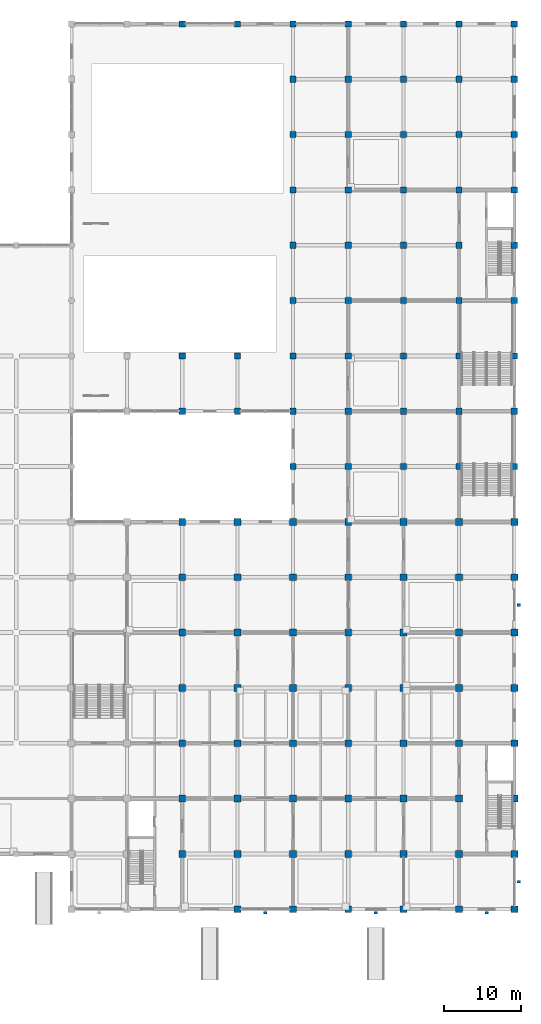
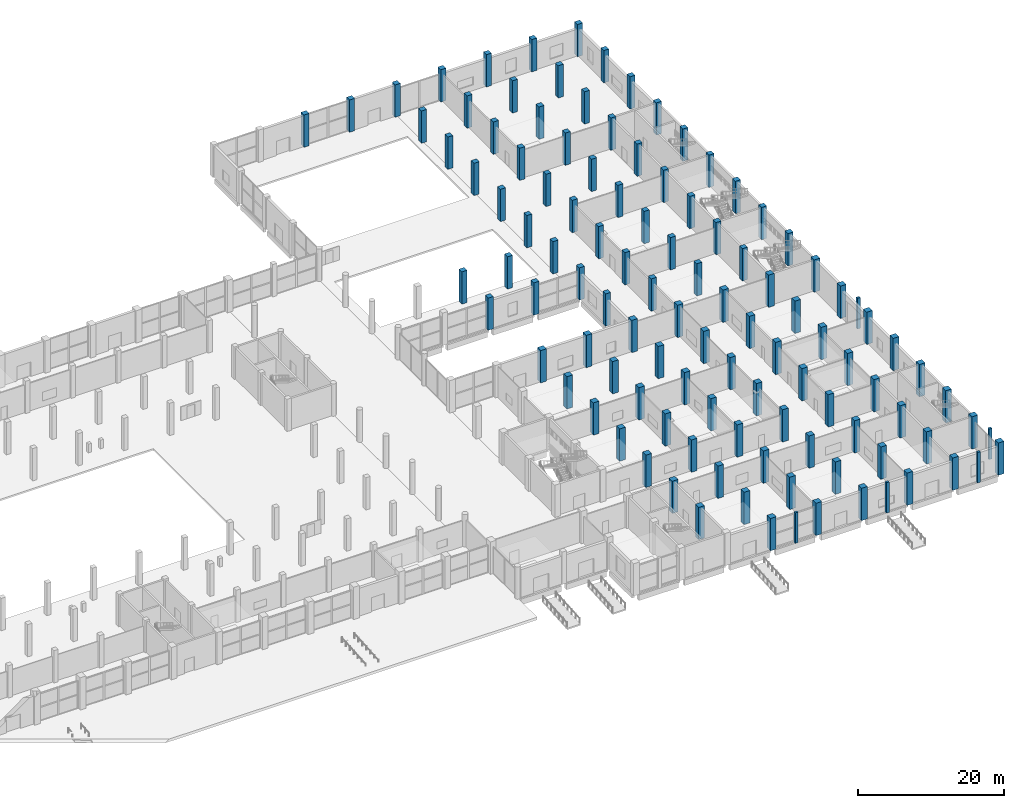
# One storey, part 3 of 70: 111 columns.
"""IFC4 building model written with IfcOpenShell, lengths in metres."""

from ifc_helpers import new_model, si_unit, direction, frame, origin, origin_2d, place, context, subcontext, project, spatial, rectangle, extrude, material, material_profile, profile_set, type_object, element, save


model = new_model("IFC4")

# Units and contexts
model_context = context("Model", 3, precision=1e-05, world=origin(), true_north=direction((0.0, 1.0)))
body_context = subcontext(model_context, "Body", "Model", "MODEL_VIEW")
ifc_project = project(units=[si_unit("LENGTHUNIT", "METRE"), si_unit("AREAUNIT", "SQUARE_METRE"), si_unit("VOLUMEUNIT", "CUBIC_METRE"), si_unit("PLANEANGLEUNIT", "RADIAN"), si_unit("MASSUNIT", "GRAM", prefix="KILO")], contexts=[model_context])

# Site, building, storey
site_placement = place(None, origin())
site = spatial("IfcSite", under=ifc_project, at=site_placement, CompositionType="ELEMENT")
building_placement = place(site_placement, origin())
building = spatial("IfcBuilding", under=site, at=building_placement, Name="Vesperath Aquatics Centre", CompositionType="ELEMENT")
storey_placement = place(building_placement, origin())
storey = spatial("IfcBuildingStorey", under=building, at=storey_placement, Name="L00", CompositionType="ELEMENT", Elevation=0.0)

# Columns
ifc_material = material(Name="Concrete C40", Category="concrete")
ifc_material_profile_1 = material_profile(ifc_material, rectangle(XDim=0.89990234375, YDim=0.89990234375, at=origin_2d()), Name="RC 900x900")
ifc_profile_set_1 = profile_set([ifc_material_profile_1], Name="Concrete C40")
column_type_1 = type_object("IfcColumnType", Name="CL-C03", PredefinedType="COLUMN", material=ifc_profile_set_1)
for number, where, z_axis, x_axis, name in (
    (1, (129.60009765625, 7.199951171875, 0.0), (0.0, 0.0, 1.0), (1.0, 0.0, 0.0), "Column C03 L00 19/B"),
    (2, (129.60009765625, 14.39990234375, 0.0), (0.0, 0.0, 1.0), (1.0, 0.0, 0.0), "Column C03 L00 19/C"),
    (3, (129.60009765625, 21.60009765625, 0.0), (0.0, 0.0, 1.0), (1.0, 0.0, 0.0), "Column C03 L00 19/D"),
    (4, (129.60009765625, 28.800048828125, 0.0), (0.0, 0.0, 1.0), (1.0, 0.0, 0.0), "Column C03 L00 19/E"),
    (5, (129.60009765625, 36.0, 0.0), (0.0, 0.0, 1.0), (1.0, 0.0, 0.0), "Column C03 L00 19/F"),
    (6, (129.60009765625, 43.199951171875, 0.0), (0.0, 0.0, 1.0), (1.0, 0.0, 0.0), "Column C03 L00 19/G"),
    (7, (129.60009765625, 50.39990234375, 0.0), (0.0, 0.0, 1.0), (1.0, 0.0, 0.0), "Column C03 L00 19/H"),
    (8, (136.800048828125, 0.0, 0.0), (0.0, 0.0, 1.0), (1.0, 0.0, 0.0), "Column C03 L00 20/A"),
    (9, (136.800048828125, 7.199951171875, 0.0), (0.0, 0.0, 1.0), (1.0, 0.0, 0.0), "Column C03 L00 20/B"),
    (10, (136.800048828125, 14.39990234375, 0.0), (0.0, 0.0, 1.0), (1.0, 0.0, 0.0), "Column C03 L00 20/C"),
    (11, (136.800048828125, 21.60009765625, 0.0), (0.0, 0.0, 1.0), (1.0, 0.0, 0.0), "Column C03 L00 20/D"),
    (12, (136.800048828125, 28.800048828125, 0.0), (0.0, 0.0, 1.0), (1.0, 0.0, 0.0), "Column C03 L00 20/E"),
    (13, (136.800048828125, 36.0, 0.0), (0.0, 0.0, 1.0), (1.0, 0.0, 0.0), "Column C03 L00 20/F"),
    (14, (136.800048828125, 43.199951171875, 0.0), (0.0, 0.0, 1.0), (1.0, 0.0, 0.0), "Column C03 L00 20/G"),
    (15, (136.800048828125, 50.39990234375, 0.0), (0.0, 0.0, 1.0), (1.0, 0.0, 0.0), "Column C03 L00 20/H"),
    (16, (144.0, 0.0, 0.0), (0.0, 0.0, 1.0), (1.0, 0.0, 0.0), "Column C03 L00 21/A"),
    (17, (144.0, 7.199951171875, 0.0), (0.0, 0.0, 1.0), (1.0, 0.0, 0.0), "Column C03 L00 21/B"),
    (18, (144.0, 14.39990234375, 0.0), (0.0, 0.0, 1.0), (1.0, 0.0, 0.0), "Column C03 L00 21/C"),
    (19, (144.0, 21.60009765625, 0.0), (0.0, 0.0, 1.0), (1.0, 0.0, 0.0), "Column C03 L00 21/D"),
    (20, (144.0, 28.800048828125, 0.0), (0.0, 0.0, 1.0), (1.0, 0.0, 0.0), "Column C03 L00 21/E"),
    (21, (144.0, 36.0, 0.0), (0.0, 0.0, 1.0), (1.0, 0.0, 0.0), "Column C03 L00 21/F"),
    (22, (144.0, 43.199951171875, 0.0), (0.0, 0.0, 1.0), (1.0, 0.0, 0.0), "Column C03 L00 21/G"),
    (23, (144.0, 50.39990234375, 0.0), (0.0, 0.0, 1.0), (1.0, 0.0, 0.0), "Column C03 L00 21/H"),
    (24, (151.199951171875, 0.0, 0.0), (0.0, 0.0, 1.0), (1.0, 0.0, 0.0), "Column C03 L00 22/A"),
    (25, (151.199951171875, 7.199951171875, 0.0), (0.0, 0.0, 1.0), (1.0, 0.0, 0.0), "Column C03 L00 22/B"),
    (26, (151.199951171875, 14.39990234375, 0.0), (0.0, 0.0, 1.0), (1.0, 0.0, 0.0), "Column C03 L00 22/C"),
    (27, (151.199951171875, 21.60009765625, 0.0), (0.0, 0.0, 1.0), (1.0, 0.0, 0.0), "Column C03 L00 22/D"),
    (28, (151.199951171875, 28.800048828125, 0.0), (0.0, 0.0, 1.0), (1.0, 0.0, 0.0), "Column C03 L00 22/E"),
    (29, (151.199951171875, 36.0, 0.0), (0.0, 0.0, 1.0), (1.0, 0.0, 0.0), "Column C03 L00 22/F"),
    (30, (151.199951171875, 43.199951171875, 0.0), (0.0, 0.0, 1.0), (1.0, 0.0, 0.0), "Column C03 L00 22/G"),
    (31, (151.199951171875, 50.39990234375, 0.0), (0.0, 0.0, 1.0), (1.0, 0.0, 0.0), "Column C03 L00 22/H"),
    (32, (158.39990234375, 0.0, 0.0), (0.0, 0.0, 1.0), (1.0, 0.0, 0.0), "Column C03 L00 23/A"),
    (33, (158.39990234375, 7.199951171875, 0.0), (0.0, 0.0, 1.0), (1.0, 0.0, 0.0), "Column C03 L00 23/B"),
    (34, (158.39990234375, 14.39990234375, 0.0), (0.0, 0.0, 1.0), (1.0, 0.0, 0.0), "Column C03 L00 23/C"),
    (35, (158.39990234375, 21.60009765625, 0.0), (0.0, 0.0, 1.0), (1.0, 0.0, 0.0), "Column C03 L00 23/D"),
    (36, (158.39990234375, 28.800048828125, 0.0), (0.0, 0.0, 1.0), (1.0, 0.0, 0.0), "Column C03 L00 23/E"),
    (37, (158.39990234375, 36.0, 0.0), (0.0, 0.0, 1.0), (1.0, 0.0, 0.0), "Column C03 L00 23/F"),
    (38, (158.39990234375, 43.199951171875, 0.0), (0.0, 0.0, 1.0), (1.0, 0.0, 0.0), "Column C03 L00 23/G"),
    (39, (158.39990234375, 50.39990234375, 0.0), (0.0, 0.0, 1.0), (1.0, 0.0, 0.0), "Column C03 L00 23/H"),
    (40, (165.60009765625, 0.0, 0.0), (0.0, 0.0, 1.0), (1.0, 0.0, 0.0), "Column C03 L00 24/A"),
    (41, (165.60009765625, 7.199951171875, 0.0), (0.0, 0.0, 1.0), (1.0, 0.0, 0.0), "Column C03 L00 24/B"),
    (42, (165.60009765625, 14.39990234375, 0.0), (0.0, 0.0, 1.0), (1.0, 0.0, 0.0), "Column C03 L00 24/C"),
    (43, (165.60009765625, 21.60009765625, 0.0), (0.0, 0.0, 1.0), (1.0, 0.0, 0.0), "Column C03 L00 24/D"),
    (44, (165.60009765625, 28.800048828125, 0.0), (0.0, 0.0, 1.0), (1.0, 0.0, 0.0), "Column C03 L00 24/E"),
    (45, (165.60009765625, 36.0, 0.0), (0.0, 0.0, 1.0), (1.0, 0.0, 0.0), "Column C03 L00 24/F"),
    (46, (165.60009765625, 43.199951171875, 0.0), (0.0, 0.0, 1.0), (1.0, 0.0, 0.0), "Column C03 L00 24/G"),
    (47, (165.60009765625, 50.39990234375, 0.0), (0.0, 0.0, 1.0), (1.0, 0.0, 0.0), "Column C03 L00 24/H"),
    (48, (172.800048828125, 0.0, 0.0), (0.0, 0.0, 1.0), (1.0, 0.0, 0.0), "Column C03 L00 25/A"),
    (49, (172.800048828125, 7.199951171875, 0.0), (0.0, 0.0, 1.0), (1.0, 0.0, 0.0), "Column C03 L00 25/B"),
    (50, (172.800048828125, 14.39990234375, 0.0), (0.0, 0.0, 1.0), (1.0, 0.0, 0.0), "Column C03 L00 25/C"),
    (51, (172.800048828125, 21.60009765625, 0.0), (0.0, 0.0, 1.0), (1.0, 0.0, 0.0), "Column C03 L00 25/D"),
    (52, (172.800048828125, 28.800048828125, 0.0), (0.0, 0.0, 1.0), (1.0, 0.0, 0.0), "Column C03 L00 25/E"),
    (53, (172.800048828125, 36.0, 0.0), (0.0, 0.0, 1.0), (1.0, 0.0, 0.0), "Column C03 L00 25/F"),
    (54, (172.800048828125, 43.199951171875, 0.0), (0.0, 0.0, 1.0), (1.0, 0.0, 0.0), "Column C03 L00 25/G"),
    (55, (172.800048828125, 50.39990234375, 0.0), (0.0, 0.0, 1.0), (1.0, 0.0, 0.0), "Column C03 L00 25/H"),
):
    element("IfcColumn", number, at=place(storey_placement, frame(where, z_axis=z_axis, x_axis=x_axis)), inside=storey, type_object=column_type_1, Name=name, PredefinedType="COLUMN", context=body_context, shape_type="SweptSolid", body=[
        extrude(rectangle(XDim=0.89990234375, YDim=0.89990234375, at=origin_2d()), origin(), (0.0, 0.0, 1.0), 5.39990234375),
    ])
ifc_material_profile_2 = material_profile(ifc_material, rectangle(XDim=0.800048828125, YDim=0.800048828125, at=origin_2d()), Name="RC 800x800")
ifc_profile_set_2 = profile_set([ifc_material_profile_2], Name="Concrete C40")
column_type_2 = type_object("IfcColumnType", Name="CL-C04", PredefinedType="COLUMN", material=ifc_profile_set_2)
for number, where, z_axis, x_axis, name in (
    (56, (129.60009765625, 64.800048828125, 0.0), (0.0, 0.0, 1.0), (1.0, 0.0, 0.0), "Column C04 L00 19/K"),
    (57, (129.60009765625, 72.0, 0.0), (0.0, 0.0, 1.0), (1.0, 0.0, 0.0), "Column C04 L00 19/L"),
    (58, (129.60009765625, 115.199951171875, 0.0), (0.0, 0.0, 1.0), (1.0, 0.0, 0.0), "Column C04 L00 19/S"),
    (59, (136.800048828125, 64.800048828125, 0.0), (0.0, 0.0, 1.0), (1.0, 0.0, 0.0), "Column C04 L00 20/K"),
    (60, (136.800048828125, 72.0, 0.0), (0.0, 0.0, 1.0), (1.0, 0.0, 0.0), "Column C04 L00 20/L"),
    (61, (136.800048828125, 115.199951171875, 0.0), (0.0, 0.0, 1.0), (1.0, 0.0, 0.0), "Column C04 L00 20/S"),
    (62, (144.0, 57.60009765625, 0.0), (0.0, 0.0, 1.0), (1.0, 0.0, 0.0), "Column C04 L00 21/J"),
    (63, (144.0, 64.800048828125, 0.0), (0.0, 0.0, 1.0), (1.0, 0.0, 0.0), "Column C04 L00 21/K"),
    (64, (144.0, 72.0, 0.0), (0.0, 0.0, 1.0), (1.0, 0.0, 0.0), "Column C04 L00 21/L"),
    (65, (144.0, 79.199951171875, 0.0), (0.0, 0.0, 1.0), (1.0, 0.0, 0.0), "Column C04 L00 21/M"),
    (66, (144.0, 86.39990234375, 0.0), (0.0, 0.0, 1.0), (1.0, 0.0, 0.0), "Column C04 L00 21/N"),
    (67, (144.0, 93.60009765625, 0.0), (0.0, 0.0, 1.0), (1.0, 0.0, 0.0), "Column C04 L00 21/P"),
    (68, (144.0, 100.800048828125, 0.0), (0.0, 0.0, 1.0), (1.0, 0.0, 0.0), "Column C04 L00 21/Q"),
    (69, (144.0, 108.0, 0.0), (0.0, 0.0, 1.0), (1.0, 0.0, 0.0), "Column C04 L00 21/R"),
    (70, (144.0, 115.199951171875, 0.0), (0.0, 0.0, 1.0), (1.0, 0.0, 0.0), "Column C04 L00 21/S"),
    (71, (151.199951171875, 57.60009765625, 0.0), (0.0, 0.0, 1.0), (1.0, 0.0, 0.0), "Column C04 L00 22/J"),
    (72, (151.199951171875, 64.800048828125, 0.0), (0.0, 0.0, 1.0), (1.0, 0.0, 0.0), "Column C04 L00 22/K"),
    (73, (151.199951171875, 72.0, 0.0), (0.0, 0.0, 1.0), (1.0, 0.0, 0.0), "Column C04 L00 22/L"),
    (74, (151.199951171875, 79.199951171875, 0.0), (0.0, 0.0, 1.0), (1.0, 0.0, 0.0), "Column C04 L00 22/M"),
    (75, (151.199951171875, 86.39990234375, 0.0), (0.0, 0.0, 1.0), (1.0, 0.0, 0.0), "Column C04 L00 22/N"),
    (76, (151.199951171875, 93.60009765625, 0.0), (0.0, 0.0, 1.0), (1.0, 0.0, 0.0), "Column C04 L00 22/P"),
    (77, (151.199951171875, 100.800048828125, 0.0), (0.0, 0.0, 1.0), (1.0, 0.0, 0.0), "Column C04 L00 22/Q"),
    (78, (151.199951171875, 108.0, 0.0), (0.0, 0.0, 1.0), (1.0, 0.0, 0.0), "Column C04 L00 22/R"),
    (79, (151.199951171875, 115.199951171875, 0.0), (0.0, 0.0, 1.0), (1.0, 0.0, 0.0), "Column C04 L00 22/S"),
    (80, (158.39990234375, 57.60009765625, 0.0), (0.0, 0.0, 1.0), (1.0, 0.0, 0.0), "Column C04 L00 23/J"),
    (81, (158.39990234375, 64.800048828125, 0.0), (0.0, 0.0, 1.0), (1.0, 0.0, 0.0), "Column C04 L00 23/K"),
    (82, (158.39990234375, 72.0, 0.0), (0.0, 0.0, 1.0), (1.0, 0.0, 0.0), "Column C04 L00 23/L"),
    (83, (158.39990234375, 79.199951171875, 0.0), (0.0, 0.0, 1.0), (1.0, 0.0, 0.0), "Column C04 L00 23/M"),
    (84, (158.39990234375, 86.39990234375, 0.0), (0.0, 0.0, 1.0), (1.0, 0.0, 0.0), "Column C04 L00 23/N"),
    (85, (158.39990234375, 93.60009765625, 0.0), (0.0, 0.0, 1.0), (1.0, 0.0, 0.0), "Column C04 L00 23/P"),
    (86, (158.39990234375, 100.800048828125, 0.0), (0.0, 0.0, 1.0), (1.0, 0.0, 0.0), "Column C04 L00 23/Q"),
    (87, (158.39990234375, 108.0, 0.0), (0.0, 0.0, 1.0), (1.0, 0.0, 0.0), "Column C04 L00 23/R"),
    (88, (158.39990234375, 115.199951171875, 0.0), (0.0, 0.0, 1.0), (1.0, 0.0, 0.0), "Column C04 L00 23/S"),
    (89, (165.60009765625, 57.60009765625, 0.0), (0.0, 0.0, 1.0), (1.0, 0.0, 0.0), "Column C04 L00 24/J"),
    (90, (165.60009765625, 64.800048828125, 0.0), (0.0, 0.0, 1.0), (1.0, 0.0, 0.0), "Column C04 L00 24/K"),
    (91, (165.60009765625, 72.0, 0.0), (0.0, 0.0, 1.0), (1.0, 0.0, 0.0), "Column C04 L00 24/L"),
    (92, (165.60009765625, 79.199951171875, 0.0), (0.0, 0.0, 1.0), (1.0, 0.0, 0.0), "Column C04 L00 24/M"),
    (93, (165.60009765625, 86.39990234375, 0.0), (0.0, 0.0, 1.0), (1.0, 0.0, 0.0), "Column C04 L00 24/N"),
    (94, (165.60009765625, 93.60009765625, 0.0), (0.0, 0.0, 1.0), (1.0, 0.0, 0.0), "Column C04 L00 24/P"),
    (95, (165.60009765625, 100.800048828125, 0.0), (0.0, 0.0, 1.0), (1.0, 0.0, 0.0), "Column C04 L00 24/Q"),
    (96, (165.60009765625, 108.0, 0.0), (0.0, 0.0, 1.0), (1.0, 0.0, 0.0), "Column C04 L00 24/R"),
    (97, (165.60009765625, 115.199951171875, 0.0), (0.0, 0.0, 1.0), (1.0, 0.0, 0.0), "Column C04 L00 24/S"),
    (98, (172.800048828125, 57.60009765625, 0.0), (0.0, 0.0, 1.0), (1.0, 0.0, 0.0), "Column C04 L00 25/J"),
    (99, (172.800048828125, 64.800048828125, 0.0), (0.0, 0.0, 1.0), (1.0, 0.0, 0.0), "Column C04 L00 25/K"),
    (100, (172.800048828125, 72.0, 0.0), (0.0, 0.0, 1.0), (1.0, 0.0, 0.0), "Column C04 L00 25/L"),
    (101, (172.800048828125, 79.199951171875, 0.0), (0.0, 0.0, 1.0), (1.0, 0.0, 0.0), "Column C04 L00 25/M"),
    (102, (172.800048828125, 86.39990234375, 0.0), (0.0, 0.0, 1.0), (1.0, 0.0, 0.0), "Column C04 L00 25/N"),
    (103, (172.800048828125, 93.60009765625, 0.0), (0.0, 0.0, 1.0), (1.0, 0.0, 0.0), "Column C04 L00 25/P"),
    (104, (172.800048828125, 100.800048828125, 0.0), (0.0, 0.0, 1.0), (1.0, 0.0, 0.0), "Column C04 L00 25/Q"),
    (105, (172.800048828125, 108.0, 0.0), (0.0, 0.0, 1.0), (1.0, 0.0, 0.0), "Column C04 L00 25/R"),
    (106, (172.800048828125, 115.199951171875, 0.0), (0.0, 0.0, 1.0), (1.0, 0.0, 0.0), "Column C04 L00 25/S"),
):
    element("IfcColumn", number, at=place(storey_placement, frame(where, z_axis=z_axis, x_axis=x_axis)), inside=storey, type_object=column_type_2, Name=name, PredefinedType="COLUMN", context=body_context, shape_type="SweptSolid", body=[
        extrude(rectangle(XDim=0.800048828125, YDim=0.800048828125, at=origin_2d()), origin(), (0.0, 0.0, 1.0), 5.39990234375),
    ])
ifc_material_profile_3 = material_profile(ifc_material, rectangle(XDim=0.449951171875, YDim=0.35009765625, at=origin_2d()), Name="CL-PL01")
ifc_profile_set_3 = profile_set([ifc_material_profile_3], Name="Concrete C40")
column_type_3 = type_object("IfcColumnType", Name="CL-PL01", PredefinedType="PILASTER", material=ifc_profile_set_3)
for number, where, z_axis, x_axis, name in (
    (107, (140.39990234375, -0.449951171875, 0.0), (0.0, 0.0, 1.0), (1.0, 0.0, 0.0), "Rusticated Granite Plinth Pilaster PLS1-02"),
    (108, (154.800048828125, -0.449951171875, 0.0), (0.0, 0.0, 1.0), (1.0, 0.0, 0.0), "Rusticated Granite Plinth Pilaster PLS1-03"),
    (109, (169.199951171875, -0.449951171875, 0.0), (0.0, 0.0, 1.0), (1.0, 0.0, 0.0), "Rusticated Granite Plinth Pilaster PLS1-04"),
    (110, (173.35009765625, 3.60009765625, 0.0), (0.0, 0.0, 1.0), (1.0, 0.0, 0.0), "Rusticated Granite Plinth Pilaster PLS1-05"),
    (111, (173.35009765625, 39.60009765625, 0.0), (0.0, 0.0, 1.0), (1.0, 0.0, 0.0), "Rusticated Granite Plinth Pilaster PLS1-06"),
):
    element("IfcColumn", number, at=place(storey_placement, frame(where, z_axis=z_axis, x_axis=x_axis)), inside=storey, type_object=column_type_3, Name=name, PredefinedType="PILASTER", context=body_context, shape_type="SweptSolid", body=[
        extrude(rectangle(XDim=0.449951171875, YDim=0.35009765625, at=origin_2d()), origin(), (0.0, 0.0, 1.0), 5.10009765625),
    ])

save(model, "model.ifc")
